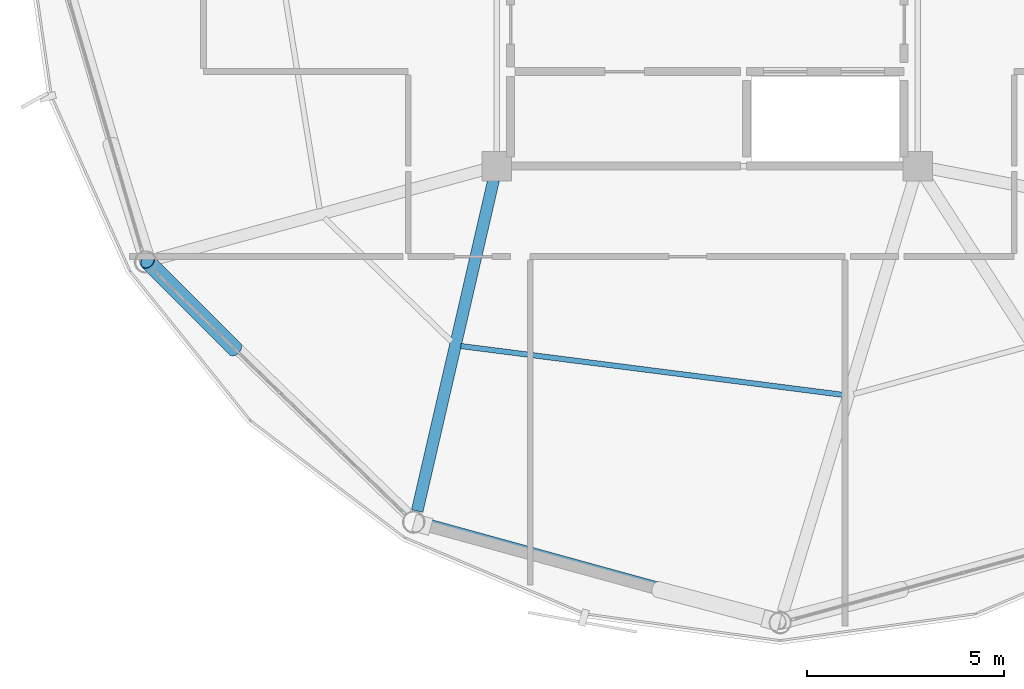
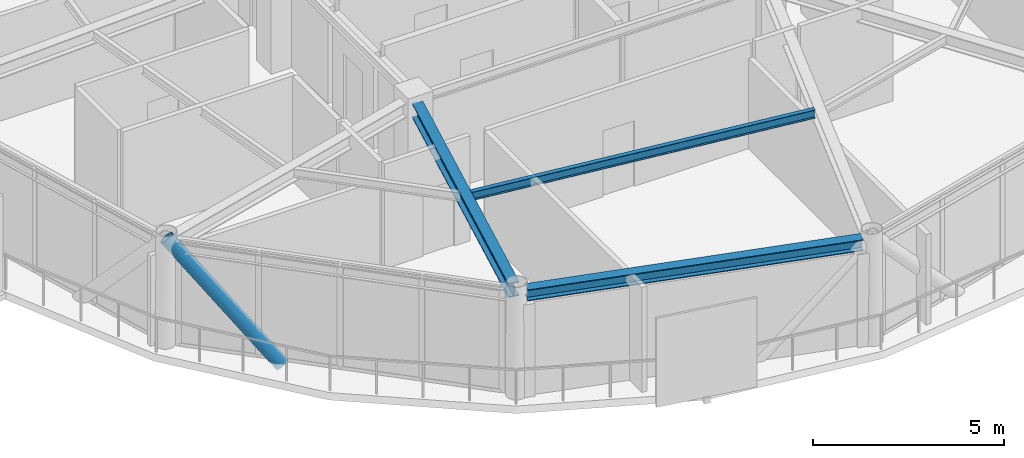
# One storey, part 3 of 27: 3 beams, 1 member.
"""IFC4 building model written with IfcOpenShell, lengths in metres."""

from ifc_helpers import new_model, si_unit, direction, frame, origin, origin_2d, place, context, subcontext, project, spatial, hollow_circle, i_section, extrude, material, material_profile, profile_set, type_object, element, save


model = new_model("IFC4")

# Units and contexts
model_context = context("Model", 3, precision=1e-05, world=origin(), true_north=direction((0.0, 1.0)))
body_context = subcontext(model_context, "Body", "Model", "MODEL_VIEW")
ifc_project = project(units=[si_unit("LENGTHUNIT", "METRE"), si_unit("AREAUNIT", "SQUARE_METRE"), si_unit("VOLUMEUNIT", "CUBIC_METRE"), si_unit("PLANEANGLEUNIT", "RADIAN"), si_unit("MASSUNIT", "GRAM", prefix="KILO")], contexts=[model_context])

# Site, building, storey
site_placement = place(None, origin())
site = spatial("IfcSite", under=ifc_project, at=site_placement, CompositionType="ELEMENT")
building_placement = place(site_placement, origin())
building = spatial("IfcBuilding", under=site, at=building_placement, Name="Varnakorn Sky Granary", CompositionType="ELEMENT")
storey_placement = place(building_placement, frame((0.0, 0.0, 232.800048828125)))
storey = spatial("IfcBuildingStorey", under=building, at=storey_placement, Name="L59", CompositionType="ELEMENT", Elevation=232.800048828125)

# Beams
ifc_material_1 = material(Name="Steel S355JR", Category="steel")
ifc_material_profile_1 = material_profile(ifc_material_1, i_section(OverallWidth=0.300048828125, OverallDepth=0.449951171875, WebThickness=0.013916015625, FlangeThickness=0.02587890625, at=origin_2d()), Name="HE 450 B")
ifc_profile_set_1 = profile_set([ifc_material_profile_1], Name="Steel S355JR")
beam_type_1 = type_object("IfcBeamType", Name="BM-RAD-Z5", PredefinedType="BEAM", material=ifc_profile_set_1)
beam_1_placement = place(storey_placement, frame((-2.4296875, -6.94580078125, 3.135009765625), z_axis=(-0.224816167823, -0.974401195958, 0.0), x_axis=(0.974401195958, -0.224816167823, 0.0)))
element("IfcBeam", 1, at=beam_1_placement, inside=storey, type_object=beam_type_1, Name="Radial Floor Girder RG09 L59", PredefinedType="BEAM", context=body_context, shape_type="SweptSolid", body=[
    extrude(i_section(OverallWidth=0.300048828125, OverallDepth=0.449951171875, WebThickness=0.013916015625, FlangeThickness=0.02587890625, at=origin_2d()), origin(), (0.0, 0.0, 1.0), 8.639892578125),
])
ifc_material_profile_2 = material_profile(ifc_material_1, i_section(OverallWidth=0.135009765625, OverallDepth=0.27001953125, WebThickness=0.006591796875, FlangeThickness=0.01025390625, at=origin_2d()), Name="IPE 270")
ifc_profile_set_2 = profile_set([ifc_material_profile_2], Name="Steel S355JR")
beam_type_2 = type_object("IfcBeamType", Name="BM-SEC-Z5", PredefinedType="BEAM", material=ifc_profile_set_2)
beam_2_placement = place(storey_placement, frame((-3.261962890625, -11.1728515625, 3.224853515625), z_axis=(0.991947513105, -0.126649639735, 0.0), x_axis=(0.126649639735, 0.991947513105, 0.0)))
element("IfcBeam", 2, at=beam_2_placement, inside=storey, type_object=beam_type_2, Name="Secondary Floor Chord Beam MSB09 L59", PredefinedType="BEAM", context=body_context, shape_type="SweptSolid", body=[
    extrude(i_section(OverallWidth=0.135009765625, OverallDepth=0.27001953125, WebThickness=0.006591796875, FlangeThickness=0.01025390625, at=origin_2d()), origin(), (0.0, 0.0, 1.0), 9.788818359375),
])
ifc_material_profile_3 = material_profile(ifc_material_1, i_section(OverallWidth=0.300048828125, OverallDepth=0.360107421875, WebThickness=0.012451171875, FlangeThickness=0.0224609375, at=origin_2d()), Name="HE 360 B")
ifc_profile_set_3 = profile_set([ifc_material_profile_3], Name="Steel S355JR")
beam_type_3 = type_object("IfcBeamType", Name="BM-SPD-Z5", PredefinedType="SPANDREL", material=ifc_profile_set_3)
beam_3_placement = place(storey_placement, frame((-4.176513671875, -15.6923828125, 3.179931640625), z_axis=(0.964220486404, -0.26510159109, 0.0), x_axis=(0.26510159109, 0.964220486404, 0.0)))
element("IfcBeam", 3, at=beam_3_placement, inside=storey, type_object=beam_type_3, Name="Perimeter Spandrel Ring Beam RB09 L59", PredefinedType="SPANDREL", context=body_context, shape_type="SweptSolid", body=[
    extrude(i_section(OverallWidth=0.300048828125, OverallDepth=0.360107421875, WebThickness=0.012451171875, FlangeThickness=0.0224609375, at=origin_2d()), origin(), (0.0, 0.0, 1.0), 9.096923828125),
])

# Member
ifc_material_2 = material(Name="Steel S460M", Category="steel")
ifc_material_profile_4 = material_profile(ifc_material_2, hollow_circle(Radius=0.203125, WallThickness=0.01611328125, at=origin_2d()), Name="CHS 406.4x16")
ifc_profile_set_4 = profile_set([ifc_material_profile_4], Name="Steel S460M")
member_type = type_object("IfcMemberType", Name="MB-DIAG-T4", PredefinedType="BRACE", material=ifc_profile_set_4)
member_placement = place(storey_placement, frame((-9.01171875, -11.24169921875, -0.130126953125), z_axis=(-0.471872378484, 0.473537198342, 0.743706245913), x_axis=(-0.70835086324, -0.705860506437, 0.0)))
element("IfcMember", 4, at=member_placement, inside=storey, type_object=member_type, Name="Perimeter CHS Diagrid Brace DG08 L59", PredefinedType="BRACE", context=body_context, shape_type="SweptSolid", body=[
    extrude(hollow_circle(Radius=0.203125, WallThickness=0.01611328125, at=origin_2d()), origin(), (0.0, 0.0, 1.0), 4.692626953125),
])

save(model, "model.ifc")
